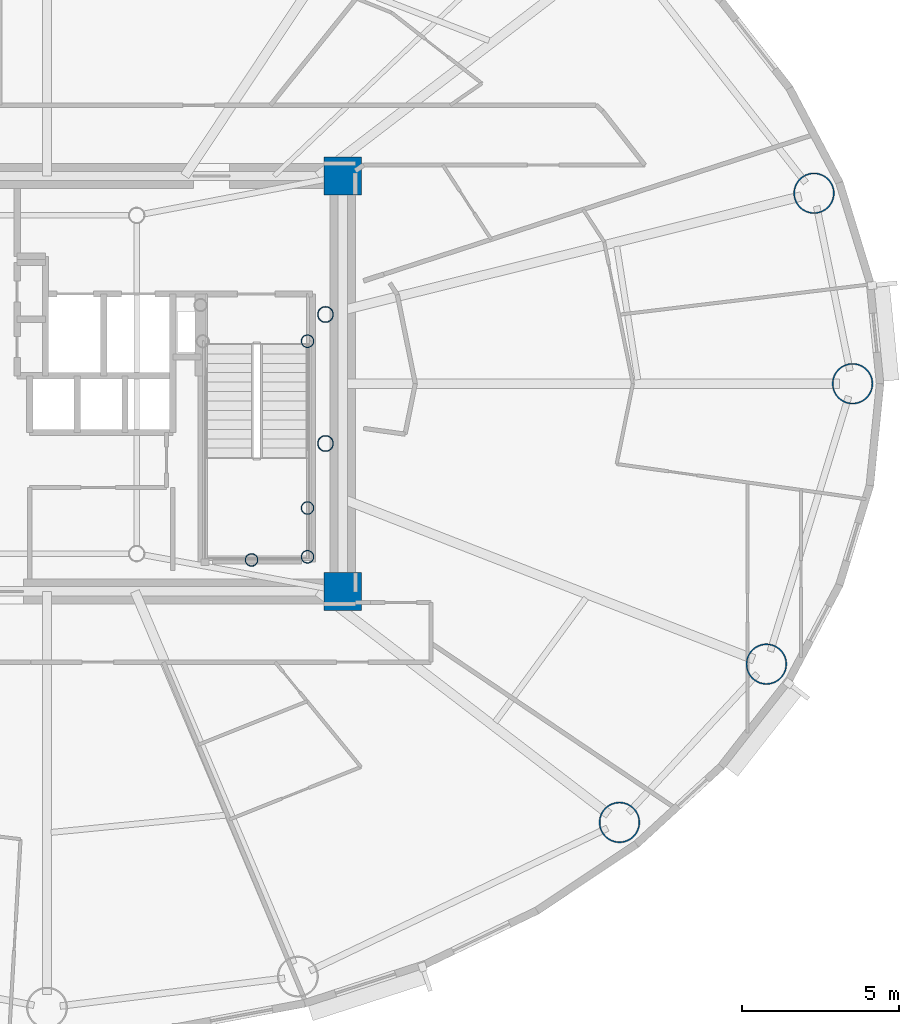
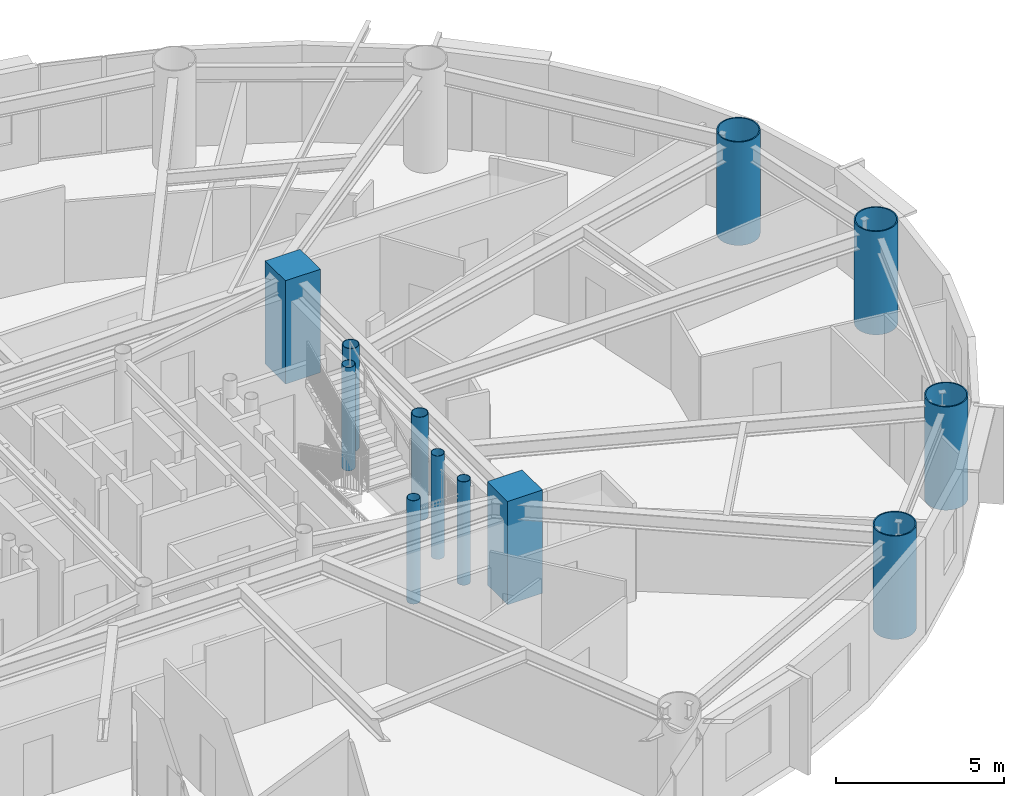
# One storey, part 2 of 18: 12 columns.
"""IFC4 building model written with IfcOpenShell, lengths in metres."""

from ifc_helpers import new_model, si_unit, direction, frame, origin, origin_2d, place, context, subcontext, project, spatial, rectangle, hollow_circle, extrude, material, material_profile, profile_set, type_object, element, save


model = new_model("IFC4")

# Units and contexts
model_context = context("Model", 3, precision=1e-05, world=origin(), true_north=direction((0.0, 1.0)))
body_context = subcontext(model_context, "Body", "Model", "MODEL_VIEW")
ifc_project = project(units=[si_unit("LENGTHUNIT", "METRE"), si_unit("AREAUNIT", "SQUARE_METRE"), si_unit("VOLUMEUNIT", "CUBIC_METRE"), si_unit("PLANEANGLEUNIT", "RADIAN"), si_unit("MASSUNIT", "GRAM", prefix="KILO")], contexts=[model_context])

# Site, building, storey
site_placement = place(None, origin())
site = spatial("IfcSite", under=ifc_project, at=site_placement, CompositionType="ELEMENT")
building_placement = place(site_placement, origin())
building = spatial("IfcBuilding", under=site, at=building_placement, Name="Linh Dai School and Residence Tower", CompositionType="ELEMENT")
storey_placement = place(building_placement, frame((0.0, 0.0, 159.89990234375)))
storey = spatial("IfcBuildingStorey", under=building, at=storey_placement, Name="L38", CompositionType="ELEMENT", Elevation=159.89990234375)

# Columns
ifc_material_1 = material(Name="Concrete B60 (C50/60)", Category="concrete")
ifc_material_profile_1 = material_profile(ifc_material_1, rectangle(XDim=1.199951171875, YDim=1.199951171875, at=origin_2d()), Name="RC 1200x1200")
ifc_profile_set_1 = profile_set([ifc_material_profile_1], Name="Concrete B60 (C50/60)")
column_type_1 = type_object("IfcColumnType", Name="COL-CC2", PredefinedType="COLUMN", material=ifc_profile_set_1)
for number, where, z_axis, x_axis, name in (
    (1, (45.39990234375, 20.39990234375, 0.0), (0.0, 0.0, 1.0), (1.0, 0.0, 0.0), "L38 Core Corner Pier CC2"),
    (2, (45.39990234375, 33.60009765625, 0.0), (0.0, 0.0, 1.0), (1.0, 0.0, 0.0), "L38 Core Corner Pier CC3"),
):
    element("IfcColumn", number, at=place(storey_placement, frame(where, z_axis=z_axis, x_axis=x_axis)), inside=storey, type_object=column_type_1, Name=name, PredefinedType="COLUMN", context=body_context, shape_type="SweptSolid", body=[
        extrude(rectangle(XDim=1.199951171875, YDim=1.199951171875, at=origin_2d()), origin(), (0.0, 0.0, 1.0), 3.75),
    ])
ifc_material_2 = material(Name="Structural Steel S355JR", Category="steel")
ifc_material_profile_2 = material_profile(ifc_material_2, hollow_circle(Radius=0.203125, WallThickness=0.01611328125, at=origin_2d()), Name="CHS 406.4x16")
ifc_profile_set_2 = profile_set([ifc_material_profile_2], Name="Structural Steel S355JR")
column_type_2 = type_object("IfcColumnType", Name="COL-EC", PredefinedType="COLUMN", material=ifc_profile_set_2)
for number, where, z_axis, x_axis, name in (
    (3, (44.280029296875, 21.5, 0.0), (0.0, 0.0, 1.0), (1.0, 0.0, 0.0), "L38 Stair Shaft Landing Support Pier ST2SE"),
    (4, (44.280029296875, 23.050048828125, 0.0), (0.0, 0.0, 1.0), (1.0, 0.0, 0.0), "L38 Stair Shaft Landing Support Pier ST2NE"),
    (5, (42.5, 21.39990234375, 0.0), (0.0, 0.0, 1.0), (1.0, 0.0, 0.0), "L38 Stair Shaft Landing Support Pier ST2MS"),
    (6, (44.280029296875, 28.35009765625, 0.0), (0.0, 0.0, 1.0), (1.0, 0.0, 0.0), "L38 Stair Shaft Landing Support Pier ST2N2"),
):
    element("IfcColumn", number, at=place(storey_placement, frame(where, z_axis=z_axis, x_axis=x_axis)), inside=storey, type_object=column_type_2, Name=name, PredefinedType="COLUMN", context=body_context, shape_type="SweptSolid", body=[
        extrude(hollow_circle(Radius=0.203125, WallThickness=0.01611328125, at=origin_2d()), origin(), (0.0, 0.0, 1.0), 3.75),
    ])
ifc_material_profile_3 = material_profile(ifc_material_2, hollow_circle(Radius=0.64990234375, WallThickness=0.0400390625, at=origin_2d()), Name="CHS 1300x40")
ifc_profile_set_3 = profile_set([ifc_material_profile_3], Name="Structural Steel S355JR")
column_type_3 = type_object("IfcColumnType", Name="COL-MC4", PredefinedType="COLUMN", material=ifc_profile_set_3)
for number, where, z_axis, x_axis, name in (
    (7, (61.60009765625, 27.0, 0.0), (0.0, 0.0, 1.0), (1.0, 0.0, 0.0), "L38 Perimeter CFT Mega-Column MC01"),
    (8, (60.37451171875, 33.053466796875, 0.0), (0.0, 0.0, 1.0), (1.0, 0.0, 0.0), "L38 Perimeter CFT Mega-Column MC02"),
    (9, (54.1923828125, 13.058349609375, 0.0), (0.0, 0.0, 1.0), (1.0, 0.0, 0.0), "L38 Perimeter CFT Mega-Column MC15"),
    (10, (58.862548828125, 18.0888671875, 0.0), (0.0, 0.0, 1.0), (1.0, 0.0, 0.0), "L38 Perimeter CFT Mega-Column MC16"),
):
    element("IfcColumn", number, at=place(storey_placement, frame(where, z_axis=z_axis, x_axis=x_axis)), inside=storey, type_object=column_type_3, Name=name, PredefinedType="COLUMN", context=body_context, shape_type="SweptSolid", body=[
        extrude(hollow_circle(Radius=0.64990234375, WallThickness=0.0400390625, at=origin_2d()), origin(), (0.0, 0.0, 1.0), 3.75),
    ])
ifc_material_profile_4 = material_profile(ifc_material_2, hollow_circle(Radius=0.25390625, WallThickness=0.02001953125, at=origin_2d()), Name="CHS 508x20")
ifc_profile_set_4 = profile_set([ifc_material_profile_4], Name="Structural Steel S355JR")
column_type_4 = type_object("IfcColumnType", Name="COL-MCP", PredefinedType="COLUMN", material=ifc_profile_set_4)
for number, where, z_axis, x_axis, name in (
    (11, (44.85009765625, 25.10009765625, 0.0), (0.0, 0.0, 1.0), (1.0, 0.0, 0.0), "L38 Sky-Lounge Core Anchor Pier S"),
    (12, (44.85009765625, 29.199951171875, 0.0), (0.0, 0.0, 1.0), (1.0, 0.0, 0.0), "L38 Sky-Lounge Core Anchor Pier N"),
):
    element("IfcColumn", number, at=place(storey_placement, frame(where, z_axis=z_axis, x_axis=x_axis)), inside=storey, type_object=column_type_4, Name=name, PredefinedType="COLUMN", context=body_context, shape_type="SweptSolid", body=[
        extrude(hollow_circle(Radius=0.25390625, WallThickness=0.02001953125, at=origin_2d()), origin(), (0.0, 0.0, 1.0), 3.75),
    ])

save(model, "model.ifc")
